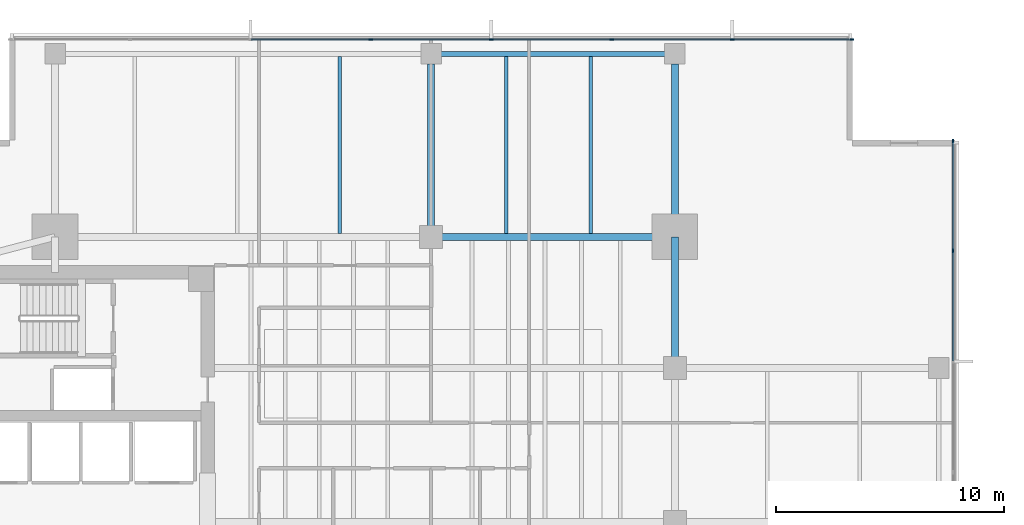
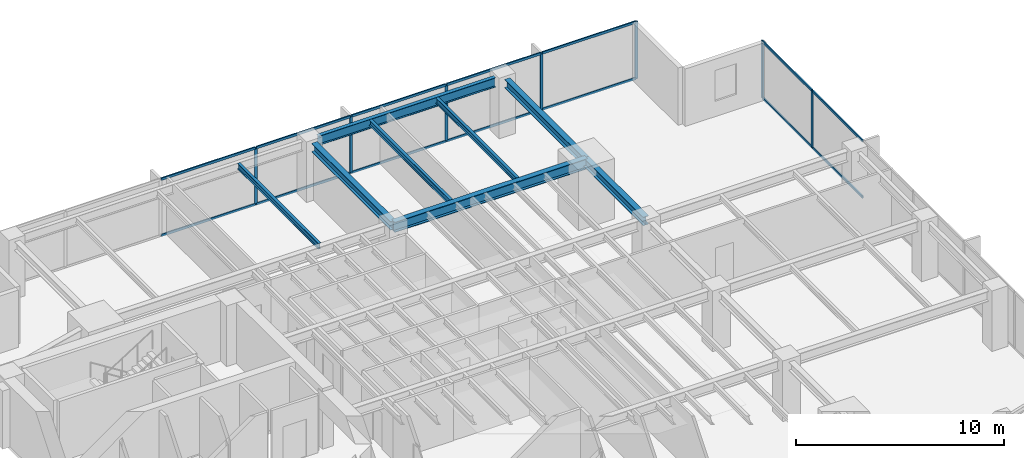
# One storey, part 6 of 14: 21 members, 8 beams, 2 elements without a shape of their own.
"""IFC4 building model written with IfcOpenShell, lengths in metres."""

from ifc_helpers import new_model, si_unit, direction, frame, origin, origin_2d, place, context, subcontext, project, spatial, rectangle, i_section, extrude, material, layer, layer_set, material_profile, profile_set, type_object, element, aggregate, save


model = new_model("IFC4")

# Units and contexts
model_context = context("Model", 3, precision=1e-05, world=origin(), true_north=direction((0.0, 1.0)))
body_context = subcontext(model_context, "Body", "Model", "MODEL_VIEW")
ifc_project = project(units=[si_unit("LENGTHUNIT", "METRE"), si_unit("AREAUNIT", "SQUARE_METRE"), si_unit("VOLUMEUNIT", "CUBIC_METRE"), si_unit("PLANEANGLEUNIT", "RADIAN"), si_unit("MASSUNIT", "GRAM", prefix="KILO")], contexts=[model_context])

# Site, building, storey
site_placement = place(None, origin())
site = spatial("IfcSite", under=ifc_project, at=site_placement, CompositionType="ELEMENT")
building_placement = place(site_placement, origin())
building = spatial("IfcBuilding", under=site, at=building_placement, Name="Kinhvarn Gate Tower", CompositionType="ELEMENT")
storey_placement = place(building_placement, frame((0.0, 0.0, 159.050048828125)))
storey = spatial("IfcBuildingStorey", under=building, at=storey_placement, Name="L42", CompositionType="ELEMENT", Elevation=159.050048828125)

# Curtain wall, members
ifc_material_1 = material(Name="Anodised aluminium AW-6063", Category="aluminium")
ifc_layer = layer(ifc_material_1, 0.179931640625)
ifc_layer_set = layer_set([ifc_layer], Name="Anodised aluminium AW-6063")
curtain_wall_type = type_object("IfcCurtainWallType", Name="CW-SYS-3", PredefinedType="NOTDEFINED", material=ifc_layer_set)
curtain_wall_1_placement = place(storey_placement, origin())
curtain_wall_1 = element("IfcCurtainWall", 1, at=curtain_wall_1_placement, inside=storey, type_object=curtain_wall_type, Name="Curtain Wall CW3 (L42)", PredefinedType="NOTDEFINED")
ifc_material_profile_1 = material_profile(ifc_material_1, rectangle(XDim=0.06494140625, YDim=0.159912109375, at=origin_2d()), Name="ALU 65x160")
ifc_profile_set_1 = profile_set([ifc_material_profile_1], Name="Anodised aluminium AW-6063")
member_type_1 = type_object("IfcMemberType", Name="CW-MUL-160", PredefinedType="MULLION", material=ifc_profile_set_1)
member_1_placement = place(storey_placement, frame((45.967529296875, 46.409912109375, 0.0), z_axis=(0.0, 0.0, 1.0), x_axis=(0.0, -1.0, 0.0)))
member_1 = element("IfcMember", 2, at=member_1_placement, type_object=member_type_1, Name="CW3 mullion 1", PredefinedType="MULLION", context=body_context, shape_type="SweptSolid", body=[
    extrude(rectangle(XDim=0.06494140625, YDim=0.159912109375, at=origin_2d()), origin(), (0.0, 0.0, 1.0), 3.369873046875),
])
member_2_placement = place(storey_placement, frame((40.71435546875, 46.409912109375, 0.0), z_axis=(0.0, 0.0, 1.0), x_axis=(0.0, -1.0, 0.0)))
member_2 = element("IfcMember", 3, at=member_2_placement, type_object=member_type_1, Name="CW3 mullion 2", PredefinedType="MULLION", context=body_context, shape_type="SweptSolid", body=[
    extrude(rectangle(XDim=0.06494140625, YDim=0.159912109375, at=origin_2d()), origin(), (0.0, 0.0, 1.0), 3.369873046875),
])
member_3_placement = place(storey_placement, frame((35.428466796875, 46.409912109375, 0.0), z_axis=(0.0, 0.0, 1.0), x_axis=(0.0, -1.0, 0.0)))
member_3 = element("IfcMember", 4, at=member_3_placement, type_object=member_type_1, Name="CW3 mullion 3", PredefinedType="MULLION", context=body_context, shape_type="SweptSolid", body=[
    extrude(rectangle(XDim=0.06494140625, YDim=0.159912109375, at=origin_2d()), origin(), (0.0, 0.0, 1.0), 3.369873046875),
])
member_4_placement = place(storey_placement, frame((30.142822265625, 46.409912109375, 0.0), z_axis=(0.0, 0.0, 1.0), x_axis=(0.0, -1.0, 0.0)))
member_4 = element("IfcMember", 5, at=member_4_placement, type_object=member_type_1, Name="CW3 mullion 4", PredefinedType="MULLION", context=body_context, shape_type="SweptSolid", body=[
    extrude(rectangle(XDim=0.06494140625, YDim=0.159912109375, at=origin_2d()), origin(), (0.0, 0.0, 1.0), 3.369873046875),
])
member_5_placement = place(storey_placement, frame((24.857177734375, 46.409912109375, 0.0), z_axis=(0.0, 0.0, 1.0), x_axis=(0.0, -1.0, 0.0)))
member_5 = element("IfcMember", 6, at=member_5_placement, type_object=member_type_1, Name="CW3 mullion 5", PredefinedType="MULLION", context=body_context, shape_type="SweptSolid", body=[
    extrude(rectangle(XDim=0.06494140625, YDim=0.159912109375, at=origin_2d()), origin(), (0.0, 0.0, 1.0), 3.369873046875),
])

curtain_wall_2_placement = place(storey_placement, origin())
curtain_wall_2 = element("IfcCurtainWall", 7, at=curtain_wall_2_placement, inside=storey, type_object=curtain_wall_type, Name="Curtain Wall CW3 (L42)", PredefinedType="NOTDEFINED")
member_6_placement = place(storey_placement, frame((50.409912109375, 37.142822265625, 0.0), z_axis=(0.0, 0.0, 1.0), x_axis=(-1.0, 0.0, 0.0)))
member_6 = element("IfcMember", 8, at=member_6_placement, type_object=member_type_1, Name="CW3 mullion 7", PredefinedType="MULLION", context=body_context, shape_type="SweptSolid", body=[
    extrude(rectangle(XDim=0.06494140625, YDim=0.159912109375, at=origin_2d()), origin(), (0.0, 0.0, 1.0), 3.369873046875),
])
member_7_placement = place(storey_placement, frame((50.409912109375, 41.967529296875, 0.0), z_axis=(0.0, 0.0, 1.0), x_axis=(-1.0, 0.0, 0.0)))
member_7 = element("IfcMember", 9, at=member_7_placement, type_object=member_type_1, Name="CW3 mullion 8", PredefinedType="MULLION", context=body_context, shape_type="SweptSolid", body=[
    extrude(rectangle(XDim=0.06494140625, YDim=0.159912109375, at=origin_2d()), origin(), (0.0, 0.0, 1.0), 3.369873046875),
])

# Member
ifc_material_profile_2 = material_profile(ifc_material_1, rectangle(XDim=0.070068359375, YDim=0.139892578125, at=origin_2d()), Name="ALU 70x140")
ifc_profile_set_2 = profile_set([ifc_material_profile_2], Name="Anodised aluminium AW-6063")
member_type_2 = type_object("IfcMemberType", Name="CW-TRN-140", PredefinedType="USERDEFINED", material=ifc_profile_set_2)
member_8_placement = place(storey_placement, frame((45.93505859375, 46.409912109375, 0.034912109375), z_axis=(-1.0, 0.0, 0.0), x_axis=(0.0, -1.0, 0.0)))
member_8 = element("IfcMember", 10, at=member_8_placement, type_object=member_type_2, Name="CW3 transom 1.1", ObjectType="TRANSOM", PredefinedType="USERDEFINED", context=body_context, shape_type="SweptSolid", body=[
    extrude(rectangle(XDim=0.070068359375, YDim=0.139892578125, at=origin_2d()), origin(), (0.0, 0.0, 1.0), 5.188232421875),
])

member_9_placement = place(storey_placement, frame((45.93505859375, 46.409912109375, 3.3349609375), z_axis=(-1.0, 0.0, 0.0), x_axis=(0.0, -1.0, 0.0)))
member_9 = element("IfcMember", 11, at=member_9_placement, type_object=member_type_2, Name="CW3 transom 1.2", ObjectType="TRANSOM", PredefinedType="USERDEFINED", context=body_context, shape_type="SweptSolid", body=[
    extrude(rectangle(XDim=0.070068359375, YDim=0.139892578125, at=origin_2d()), origin(), (0.0, 0.0, 1.0), 5.188232421875),
])

member_10_placement = place(storey_placement, frame((40.681884765625, 46.409912109375, 0.034912109375), z_axis=(-1.0, 0.0, 0.0), x_axis=(0.0, -1.0, 0.0)))
member_10 = element("IfcMember", 12, at=member_10_placement, type_object=member_type_2, Name="CW3 transom 2.1", ObjectType="TRANSOM", PredefinedType="USERDEFINED", context=body_context, shape_type="SweptSolid", body=[
    extrude(rectangle(XDim=0.070068359375, YDim=0.139892578125, at=origin_2d()), origin(), (0.0, 0.0, 1.0), 5.220703125),
])

member_11_placement = place(storey_placement, frame((40.681884765625, 46.409912109375, 3.3349609375), z_axis=(-1.0, 0.0, 0.0), x_axis=(0.0, -1.0, 0.0)))
member_11 = element("IfcMember", 13, at=member_11_placement, type_object=member_type_2, Name="CW3 transom 2.2", ObjectType="TRANSOM", PredefinedType="USERDEFINED", context=body_context, shape_type="SweptSolid", body=[
    extrude(rectangle(XDim=0.070068359375, YDim=0.139892578125, at=origin_2d()), origin(), (0.0, 0.0, 1.0), 5.220703125),
])

member_12_placement = place(storey_placement, frame((35.39599609375, 46.409912109375, 0.034912109375), z_axis=(-1.0, 0.0, 0.0), x_axis=(0.0, -1.0, 0.0)))
member_12 = element("IfcMember", 14, at=member_12_placement, type_object=member_type_2, Name="CW3 transom 3.1", ObjectType="TRANSOM", PredefinedType="USERDEFINED", context=body_context, shape_type="SweptSolid", body=[
    extrude(rectangle(XDim=0.070068359375, YDim=0.139892578125, at=origin_2d()), origin(), (0.0, 0.0, 1.0), 5.220703125),
])

member_13_placement = place(storey_placement, frame((35.39599609375, 46.409912109375, 3.3349609375), z_axis=(-1.0, 0.0, 0.0), x_axis=(0.0, -1.0, 0.0)))
member_13 = element("IfcMember", 15, at=member_13_placement, type_object=member_type_2, Name="CW3 transom 3.2", ObjectType="TRANSOM", PredefinedType="USERDEFINED", context=body_context, shape_type="SweptSolid", body=[
    extrude(rectangle(XDim=0.070068359375, YDim=0.139892578125, at=origin_2d()), origin(), (0.0, 0.0, 1.0), 5.220703125),
])

member_14_placement = place(storey_placement, frame((30.1103515625, 46.409912109375, 0.034912109375), z_axis=(-1.0, 0.0, 0.0), x_axis=(0.0, -1.0, 0.0)))
member_14 = element("IfcMember", 16, at=member_14_placement, type_object=member_type_2, Name="CW3 transom 4.1", ObjectType="TRANSOM", PredefinedType="USERDEFINED", context=body_context, shape_type="SweptSolid", body=[
    extrude(rectangle(XDim=0.070068359375, YDim=0.139892578125, at=origin_2d()), origin(), (0.0, 0.0, 1.0), 5.220703125),
])

member_15_placement = place(storey_placement, frame((30.1103515625, 46.409912109375, 3.3349609375), z_axis=(-1.0, 0.0, 0.0), x_axis=(0.0, -1.0, 0.0)))
member_15 = element("IfcMember", 17, at=member_15_placement, type_object=member_type_2, Name="CW3 transom 4.2", ObjectType="TRANSOM", PredefinedType="USERDEFINED", context=body_context, shape_type="SweptSolid", body=[
    extrude(rectangle(XDim=0.070068359375, YDim=0.139892578125, at=origin_2d()), origin(), (0.0, 0.0, 1.0), 5.220703125),
])

member_16_placement = place(storey_placement, frame((24.82470703125, 46.409912109375, 0.034912109375), z_axis=(-1.0, 0.0, 0.0), x_axis=(0.0, -1.0, 0.0)))
member_16 = element("IfcMember", 18, at=member_16_placement, type_object=member_type_2, Name="CW3 transom 5.1", ObjectType="TRANSOM", PredefinedType="USERDEFINED", context=body_context, shape_type="SweptSolid", body=[
    extrude(rectangle(XDim=0.070068359375, YDim=0.139892578125, at=origin_2d()), origin(), (0.0, 0.0, 1.0), 5.220703125),
])

member_17_placement = place(storey_placement, frame((24.82470703125, 46.409912109375, 3.3349609375), z_axis=(-1.0, 0.0, 0.0), x_axis=(0.0, -1.0, 0.0)))
member_17 = element("IfcMember", 19, at=member_17_placement, type_object=member_type_2, Name="CW3 transom 5.2", ObjectType="TRANSOM", PredefinedType="USERDEFINED", context=body_context, shape_type="SweptSolid", body=[
    extrude(rectangle(XDim=0.070068359375, YDim=0.139892578125, at=origin_2d()), origin(), (0.0, 0.0, 1.0), 5.220703125),
])

aggregate(curtain_wall_1, [member_1, member_2, member_3, member_4, member_5, member_8, member_9, member_10, member_11, member_12, member_13, member_14, member_15, member_16, member_17])

member_18_placement = place(storey_placement, frame((50.409912109375, 32.318115234375, 0.034912109375), z_axis=(0.0, 1.0, 0.0), x_axis=(-1.0, 0.0, 0.0)))
member_18 = element("IfcMember", 20, at=member_18_placement, type_object=member_type_2, Name="CW3 transom 6.1", ObjectType="TRANSOM", PredefinedType="USERDEFINED", context=body_context, shape_type="SweptSolid", body=[
    extrude(rectangle(XDim=0.070068359375, YDim=0.139892578125, at=origin_2d()), origin(), (0.0, 0.0, 1.0), 4.792236328125),
])

member_19_placement = place(storey_placement, frame((50.409912109375, 32.318115234375, 3.3349609375), z_axis=(0.0, 1.0, 0.0), x_axis=(-1.0, 0.0, 0.0)))
member_19 = element("IfcMember", 21, at=member_19_placement, type_object=member_type_2, Name="CW3 transom 6.2", ObjectType="TRANSOM", PredefinedType="USERDEFINED", context=body_context, shape_type="SweptSolid", body=[
    extrude(rectangle(XDim=0.070068359375, YDim=0.139892578125, at=origin_2d()), origin(), (0.0, 0.0, 1.0), 4.792236328125),
])

member_20_placement = place(storey_placement, frame((50.409912109375, 37.17529296875, 0.034912109375), z_axis=(0.0, 1.0, 0.0), x_axis=(-1.0, 0.0, 0.0)))
member_20 = element("IfcMember", 22, at=member_20_placement, type_object=member_type_2, Name="CW3 transom 7.1", ObjectType="TRANSOM", PredefinedType="USERDEFINED", context=body_context, shape_type="SweptSolid", body=[
    extrude(rectangle(XDim=0.070068359375, YDim=0.139892578125, at=origin_2d()), origin(), (0.0, 0.0, 1.0), 4.759765625),
])

member_21_placement = place(storey_placement, frame((50.409912109375, 37.17529296875, 3.3349609375), z_axis=(0.0, 1.0, 0.0), x_axis=(-1.0, 0.0, 0.0)))
member_21 = element("IfcMember", 23, at=member_21_placement, type_object=member_type_2, Name="CW3 transom 7.2", ObjectType="TRANSOM", PredefinedType="USERDEFINED", context=body_context, shape_type="SweptSolid", body=[
    extrude(rectangle(XDim=0.070068359375, YDim=0.139892578125, at=origin_2d()), origin(), (0.0, 0.0, 1.0), 4.759765625),
])

aggregate(curtain_wall_2, [member_6, member_7, member_18, member_19, member_20, member_21])

# Beams
ifc_material_2 = material(Name="Steel S355", Category="steel")
ifc_material_profile_3 = material_profile(ifc_material_2, i_section(OverallWidth=0.300048828125, OverallDepth=0.5, WebThickness=0.014404296875, FlangeThickness=0.028076171875, at=origin_2d()), Name="HEB 500")
ifc_profile_set_3 = profile_set([ifc_material_profile_3], Name="Steel S355")
beam_type_1 = type_object("IfcBeamType", Name="STL-HEB500", PredefinedType="BEAM", material=ifc_profile_set_3)
for number, where, z_axis, x_axis, name in (
    (24, (27.5, 37.75, 3.119873046875), (0.0, 1.0, 0.0), (-1.0, 0.0, 0.0), "Floor Beam PG-14 (L42 SP27-N-TIE)"),
    (25, (38.199951171875, 37.75, 3.119873046875), (0.0, 1.0, 0.0), (-1.0, 0.0, 0.0), "Floor Beam PG-14 (L42 MCE-N)"),
):
    element("IfcBeam", number, at=place(storey_placement, frame(where, z_axis=z_axis, x_axis=x_axis)), inside=storey, type_object=beam_type_1, Name=name, PredefinedType="BEAM", context=body_context, shape_type="SweptSolid", body=[
        extrude(i_section(OverallWidth=0.300048828125, OverallDepth=0.5, WebThickness=0.014404296875, FlangeThickness=0.028076171875, at=origin_2d()), origin(), (0.0, 0.0, 1.0), 7.594970703125),
    ])
beam_1_placement = place(storey_placement, frame((38.199951171875, 32.0, 3.119873046875), z_axis=(0.0, 1.0, 0.0), x_axis=(-1.0, 0.0, 0.0)))
element("IfcBeam", 26, at=beam_1_placement, inside=storey, type_object=beam_type_1, Name="Floor Beam PG-14 (L42 MG-E-32)", PredefinedType="BEAM", context=body_context, shape_type="SweptSolid", body=[
    extrude(i_section(OverallWidth=0.300048828125, OverallDepth=0.5, WebThickness=0.014404296875, FlangeThickness=0.028076171875, at=origin_2d()), origin(), (0.0, 0.0, 1.0), 5.75),
])
ifc_material_profile_4 = material_profile(ifc_material_2, i_section(OverallWidth=0.300048828125, OverallDepth=0.60009765625, WebThickness=0.015380859375, FlangeThickness=0.030029296875, at=origin_2d()), Name="HEB 600")
ifc_profile_set_4 = profile_set([ifc_material_profile_4], Name="Steel S355")
beam_type_2 = type_object("IfcBeamType", Name="STL-HEB600", PredefinedType="BEAM", material=ifc_profile_set_4)
beam_2_placement = place(storey_placement, frame((27.5, 37.75, 3.070068359375), z_axis=(1.0, 0.0, 0.0), x_axis=(0.0, 1.0, 0.0)))
element("IfcBeam", 27, at=beam_2_placement, inside=storey, type_object=beam_type_2, Name="Floor Beam PG-16 (L42 MG-N2)", PredefinedType="BEAM", context=body_context, shape_type="SweptSolid", body=[
    extrude(i_section(OverallWidth=0.300048828125, OverallDepth=0.60009765625, WebThickness=0.015380859375, FlangeThickness=0.030029296875, at=origin_2d()), origin(), (0.0, 0.0, 1.0), 10.699951171875),
])
ifc_material_profile_5 = material_profile(ifc_material_2, i_section(OverallWidth=0.159912109375, OverallDepth=0.330078125, WebThickness=0.007568359375, FlangeThickness=0.011474609375, at=origin_2d()), Name="IPE 330")
ifc_profile_set_5 = profile_set([ifc_material_profile_5], Name="Steel S355")
beam_type_3 = type_object("IfcBeamType", Name="STL-IPE330", PredefinedType="JOIST", material=ifc_profile_set_5)
for number, where, z_axis, x_axis, name in (
    (28, (23.5, 37.89990234375, 3.204833984375), (0.0, 1.0, 0.0), (-1.0, 0.0, 0.0), "Floor Joist SB-03 (L42 JN-X235)"),
    (29, (30.800048828125, 37.89990234375, 3.204833984375), (0.0, 1.0, 0.0), (-1.0, 0.0, 0.0), "Floor Joist SB-03 (L42 JN-X308)"),
    (30, (34.5, 37.89990234375, 3.204833984375), (0.0, 1.0, 0.0), (-1.0, 0.0, 0.0), "Floor Joist SB-03 (L42 JN-X345)"),
):
    element("IfcBeam", number, at=place(storey_placement, frame(where, z_axis=z_axis, x_axis=x_axis)), inside=storey, type_object=beam_type_3, Name=name, PredefinedType="JOIST", context=body_context, shape_type="SweptSolid", body=[
        extrude(i_section(OverallWidth=0.159912109375, OverallDepth=0.330078125, WebThickness=0.007568359375, FlangeThickness=0.011474609375, at=origin_2d()), origin(), (0.0, 0.0, 1.0), 7.775146484375),
    ])
ifc_material_profile_6 = material_profile(ifc_material_2, i_section(OverallWidth=0.2099609375, OverallDepth=0.550048828125, WebThickness=0.010986328125, FlangeThickness=0.01708984375, at=origin_2d()), Name="IPE 550")
ifc_profile_set_6 = profile_set([ifc_material_profile_6], Name="Steel S355")
beam_type_4 = type_object("IfcBeamType", Name="STL-IPE550", PredefinedType="SPANDREL", material=ifc_profile_set_6)
beam_3_placement = place(storey_placement, frame((27.93505859375, 45.780029296875, 3.094970703125), z_axis=(1.0, 0.0, 0.0), x_axis=(0.0, 1.0, 0.0)))
element("IfcBeam", 31, at=beam_3_placement, inside=storey, type_object=beam_type_4, Name="Floor Spandrel SB-08 (L42 SP-N2)", PredefinedType="SPANDREL", context=body_context, shape_type="SweptSolid", body=[
    extrude(i_section(OverallWidth=0.2099609375, OverallDepth=0.550048828125, WebThickness=0.010986328125, FlangeThickness=0.01708984375, at=origin_2d()), origin(), (0.0, 0.0, 1.0), 9.829833984375),
])

save(model, "model.ifc")
